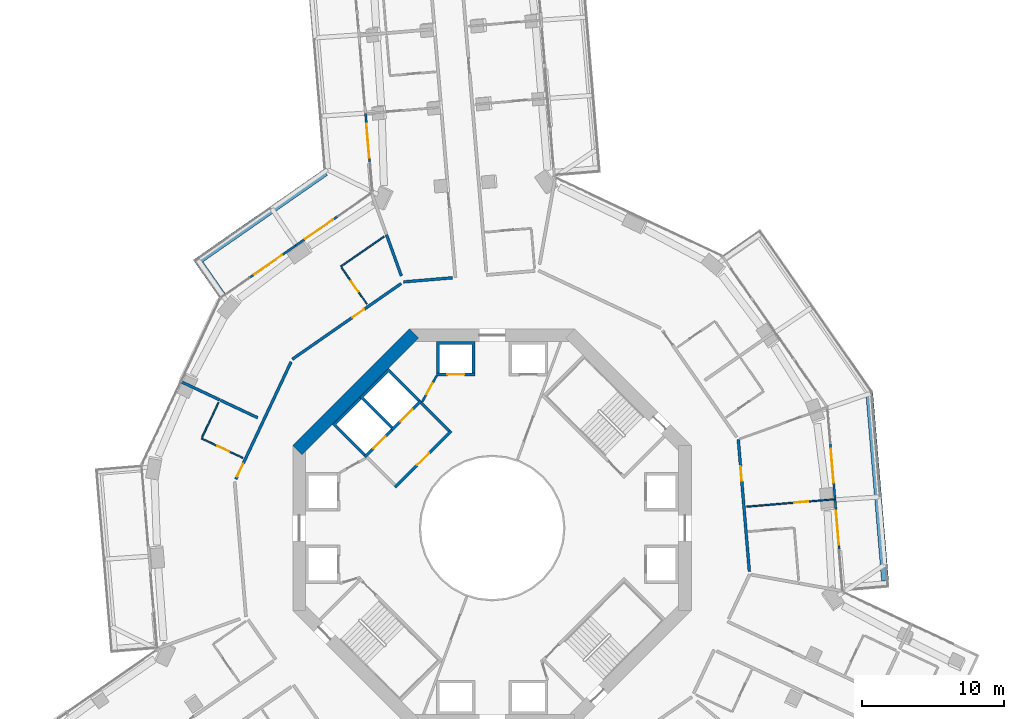
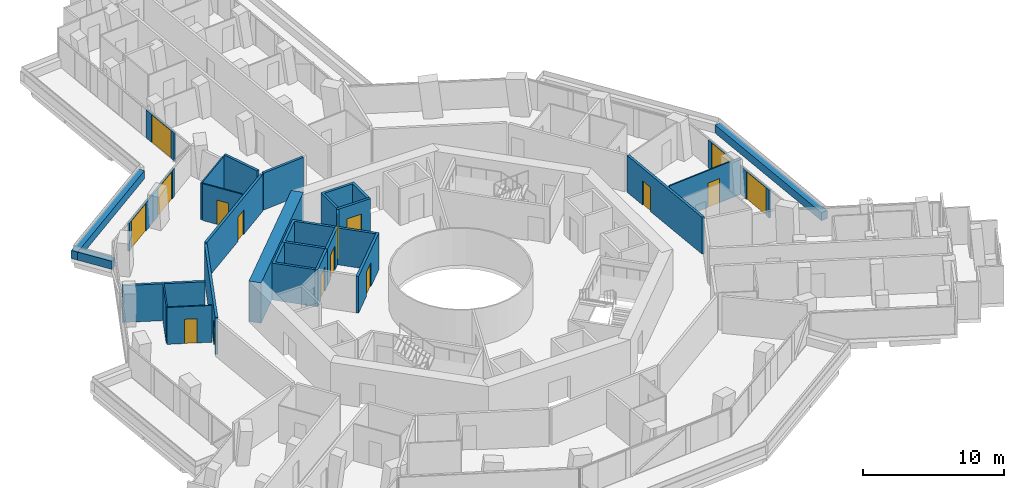
# One storey, part 21 of 26: 30 walls, 16 doors, 16 openings.
"""IFC4 building model written with IfcOpenShell, lengths in metres."""

import ifcopenshell
import ifcopenshell.guid

model = None  # the IFC model being written
_history = None  # IfcOwnerHistory: only IFC2X3 demands one
_inside = {}  # id of a spatial element -> (the spatial element, [elements in it])
_under = {}  # id of a project, library or spatial element -> (it, [spatial elements below it])
_declared = {}  # id of a project -> (the project, [libraries it declares])
_typed = {}  # id of a type object -> (the type object, [elements of that type])
_made_of = {}  # id of a material, layer set ... -> (it, [elements and type objects made of it])


def new_model(schema):
    """Start an empty IFC model of exactly this schema.

    Asked for "IFC4X3", IfcOpenShell would pick the latest addendum, in which some entities
    have other attributes; the version numbers below select the first issue.
    IFC2X3 requires an IfcOwnerHistory on every rooted entity: one is made here for all.
    """
    global model, _history
    if schema == "IFC4X3":
        model = ifcopenshell.file(schema_version=(4, 3, 0, 0))
    else:
        model = ifcopenshell.file(schema=schema)
    _inside.clear()
    _under.clear()
    _declared.clear()
    _typed.clear()
    _made_of.clear()
    _history = None
    if model.schema == "IFC2X3":
        org = make("IfcOrganization", Name="unknown")
        user = make(
            "IfcPersonAndOrganization",
            ThePerson=make("IfcPerson", FamilyName="unknown"),
            TheOrganization=org,
        )
        app = make(
            "IfcApplication",
            ApplicationDeveloper=org,
            Version="unknown",
            ApplicationFullName="unknown",
            ApplicationIdentifier="unknown",
        )
        _history = make(
            "IfcOwnerHistory",
            OwningUser=user,
            OwningApplication=app,
            ChangeAction="ADDED",
            CreationDate=0,
        )
    return model


def make(cls, **values):
    """One entity of the class cls with the attributes given. An attribute that is None is left unset."""
    return model.create_entity(
        cls, **{name: value for name, value in values.items() if value is not None}
    )


def rooted(cls, **values):
    """An entity with a GlobalId (a new one), such as an element, a storey or a relation."""
    return make(cls, GlobalId=ifcopenshell.guid.new(), OwnerHistory=_history, **values)


def si_unit(unit_type, name, prefix=None):
    """IfcSIUnit, for example si_unit("LENGTHUNIT", "METRE", prefix="MILLI")."""
    return make("IfcSIUnit", UnitType=unit_type, Prefix=prefix, Name=name)


def assignment(units):
    """IfcUnitAssignment: the units of a project."""
    return None if units is None else make("IfcUnitAssignment", Units=units)


def point(xyz):
    """IfcCartesianPoint."""
    return None if xyz is None else make("IfcCartesianPoint", Coordinates=xyz)


def direction(xyz):
    """IfcDirection."""
    return None if xyz is None else make("IfcDirection", DirectionRatios=xyz)


def frame(location, z_axis=None, x_axis=None):
    """IfcAxis2Placement3D, a coordinate frame: its origin and axes. An axis left out is left unset."""
    return make(
        "IfcAxis2Placement3D",
        Location=point(location),
        Axis=direction(z_axis),
        RefDirection=direction(x_axis),
    )


def frame_2d(location, x_axis=None):
    """IfcAxis2Placement2D, a coordinate frame in the plane: its origin and x axis."""
    return make(
        "IfcAxis2Placement2D", Location=point(location), RefDirection=direction(x_axis)
    )


def origin():
    """The frame at (0, 0, 0) with its axes left unset."""
    return frame((0.0, 0.0, 0.0))


def place(relative_to, where):
    """IfcLocalPlacement: puts the frame where relative to a parent placement (None: the world)."""
    return make(
        "IfcLocalPlacement", PlacementRelTo=relative_to, RelativePlacement=where
    )


def context(
    kind, dimensions, precision=None, world=None, true_north=None, identifier=None
):
    """IfcGeometricRepresentationContext, for example the 3D "Model" context."""
    return make(
        "IfcGeometricRepresentationContext",
        ContextIdentifier=identifier,
        ContextType=kind,
        CoordinateSpaceDimension=dimensions,
        Precision=precision,
        WorldCoordinateSystem=world,
        TrueNorth=true_north,
    )


def subcontext(parent, identifier, kind, view, scale=None):
    """IfcGeometricRepresentationSubContext, for example "Body" below "Model"."""
    return make(
        "IfcGeometricRepresentationSubContext",
        ContextIdentifier=identifier,
        ContextType=kind,
        ParentContext=parent,
        TargetScale=scale,
        TargetView=view,
    )


def project(units=None, contexts=None):
    """IfcProject with its units and contexts."""
    return rooted(
        "IfcProject",
        Name="project",
        RepresentationContexts=contexts,
        UnitsInContext=assignment(units),
    )


def spatial(cls, under=None, at=None, **own):
    """A site, building, storey or space (cls), placed at a placement, below another one or the project."""
    s = rooted(cls, ObjectPlacement=at, **own)
    if under is not None:
        _under.setdefault(under.id(), (under, []))[1].append(s)
    return s


def polyline(points):
    """IfcPolyline through the points."""
    return make("IfcPolyline", Points=[point(p) for p in points])


def profile(cls, at=None, kind="AREA", **sizes):
    """A parametric profile (cls). Its sizes go by their IFC names, for example OverallWidth=200.0."""
    return make(cls, ProfileType=kind, Position=at, **sizes)


def rectangle(**sizes):
    """IfcRectangleProfileDef."""
    return profile("IfcRectangleProfileDef", **sizes)


def outline(outer, holes=None, kind="AREA"):
    """IfcArbitraryClosedProfileDef: a profile drawn as a closed curve; with holes, ...WithVoids."""
    if holes is None:
        return make("IfcArbitraryClosedProfileDef", ProfileType=kind, OuterCurve=outer)
    return make(
        "IfcArbitraryProfileDefWithVoids",
        ProfileType=kind,
        OuterCurve=outer,
        InnerCurves=holes,
    )


def extrude(swept, where, along, depth):
    """IfcExtrudedAreaSolid: the profile swept, set in the frame where, extruded along a direction by depth."""
    return make(
        "IfcExtrudedAreaSolid",
        SweptArea=swept,
        Position=where,
        ExtrudedDirection=direction(along),
        Depth=depth,
    )


def shape(context_of_items, identifier, shape_type, items):
    """IfcShapeRepresentation: the items that make up one representation, for example the "Body"."""
    return make(
        "IfcShapeRepresentation",
        ContextOfItems=context_of_items,
        RepresentationIdentifier=identifier,
        RepresentationType=shape_type,
        Items=items,
    )


def material(Name=None, Category=None):
    """IfcMaterial."""
    return make("IfcMaterial", Name=Name, Category=Category)


def layer(
    of_material, thickness, ventilated=None, Name=None, Category=None, Priority=None
):
    """IfcMaterialLayer: one layer of a wall or slab, of a material (None: an air gap)."""
    return make(
        "IfcMaterialLayer",
        Material=of_material,
        LayerThickness=thickness,
        IsVentilated=ventilated,
        Name=Name,
        Category=Category,
        Priority=Priority,
    )


def layer_set(layers, Name=None):
    """IfcMaterialLayerSet."""
    return make("IfcMaterialLayerSet", MaterialLayers=layers, LayerSetName=Name)


def made_of(thing, what):
    """Note that an element or type object is made of a material, layer set ...; save() writes the relation."""
    if what is not None:
        _made_of.setdefault(what.id(), (what, []))[1].append(thing)
    return thing


def type_object(cls, material=None, **own):
    """A type object (cls), such as IfcWallType, which elements share."""
    return made_of(rooted(cls, **own), material)


def element(
    cls,
    number,
    at=None,
    inside=None,
    cuts=None,
    type_object=None,
    material=None,
    context=None,
    identifier="Body",
    shape_type=None,
    held_by="IfcProductDefinitionShape",
    body=None,
    shapes=None,
    **own,
):
    """One element of the class cls, such as IfcWall. Its Tag is "e" and its number.

    at: its placement. inside: the storey or other place that contains it. cuts: it is an
    opening in that element (IfcRelVoidsElement). A single representation is given by context,
    identifier, shape_type and body (its items); several are given by shapes. held_by: the class
    of the entity that holds the representations. save() writes the other relations.
    """
    e = rooted(cls, Tag="e%d" % number, ObjectPlacement=at, **own)
    if body is not None:
        shapes = [shape(context, identifier, shape_type, body)]
    if shapes is not None:
        e.Representation = make(held_by, Representations=shapes)
    if inside is not None:
        _inside.setdefault(inside.id(), (inside, []))[1].append(e)
    if cuts is not None:
        rooted(
            "IfcRelVoidsElement", RelatingBuildingElement=cuts, RelatedOpeningElement=e
        )
    if type_object is not None:
        _typed.setdefault(type_object.id(), (type_object, []))[1].append(e)
    return made_of(e, material)


def fill(opening, filler):
    """IfcRelFillsElement: the door or window that sits in an opening."""
    return rooted(
        "IfcRelFillsElement",
        RelatingOpeningElement=opening,
        RelatedBuildingElement=filler,
    )


def aggregate(whole, parts):
    """IfcRelAggregates: a whole, such as a stair, and the parts it consists of."""
    return rooted("IfcRelAggregates", RelatingObject=whole, RelatedObjects=parts)


def save(model, path):
    """Write the relations noted so far, then the file.

    IfcRelAggregates (storeys below a building ...), IfcRelContainedInSpatialStructure (elements
    in a storey), IfcRelDefinesByType, IfcRelAssociatesMaterial and IfcRelDeclares: one each for
    every whole, place, type object, material and project.
    """
    for whole, parts in _under.values():
        aggregate(whole, parts)
    for where, things in _inside.values():
        rooted(
            "IfcRelContainedInSpatialStructure",
            RelatedElements=things,
            RelatingStructure=where,
        )
    for kind, things in _typed.values():
        rooted("IfcRelDefinesByType", RelatedObjects=things, RelatingType=kind)
    for what, things in _made_of.values():
        rooted("IfcRelAssociatesMaterial", RelatedObjects=things, RelatingMaterial=what)
    for by, libraries in _declared.values():
        rooted("IfcRelDeclares", RelatingContext=by, RelatedDefinitions=libraries)
    model.write(path)


model = new_model("IFC4")

# Units and contexts
model_context = context("Model", 3, precision=1e-05, world=origin(), true_north=direction((0.0, 1.0)))
body_context = subcontext(model_context, "Body", "Model", "MODEL_VIEW")
ifc_project = project(units=[si_unit("LENGTHUNIT", "METRE"), si_unit("AREAUNIT", "SQUARE_METRE"), si_unit("VOLUMEUNIT", "CUBIC_METRE"), si_unit("PLANEANGLEUNIT", "RADIAN"), si_unit("MASSUNIT", "GRAM", prefix="KILO")], contexts=[model_context])

# Site, building, storey
site_placement = place(None, origin())
site = spatial("IfcSite", under=ifc_project, at=site_placement, CompositionType="ELEMENT")
building_placement = place(site_placement, origin())
building = spatial("IfcBuilding", under=site, at=building_placement, Name="Verdalira Terraces Hotel", CompositionType="ELEMENT")
storey_placement = place(building_placement, frame((0.0, 0.0, 53.0)))
storey = spatial("IfcBuildingStorey", under=building, at=storey_placement, Name="L11", CompositionType="ELEMENT", Elevation=53.0)

# Walls
ifc_material_1 = material(Name="Concrete C40", Category="concrete")
ifc_layer_1 = layer(ifc_material_1, 0.5)
ifc_layer_set_1 = layer_set([ifc_layer_1], Name="Balcony planter trough with tree")
wall_type_1 = type_object("IfcWallType", Name="Balcony planter trough with tree", PredefinedType="SOLIDWALL", material=ifc_layer_set_1)
wall_1_placement = place(storey_placement, frame((-11.707764, 24.997314, 0.0), z_axis=(0.0, 0.0, 1.0), x_axis=(-0.821157664, -0.570701402, 0.0)))
element("IfcWall", 1, at=wall_1_placement, inside=storey, type_object=wall_type_1, Name="Balcony planter", PredefinedType="SOLIDWALL", context=body_context, shape_type="SweptSolid", body=[
    extrude(rectangle(XDim=11.152588, YDim=0.5, at=frame_2d((5.576172, 0.0))), origin(), (0.0, 0.0, 1.0), 0.699951),
])
wall_2_placement = place(storey_placement, frame((-20.517578, 18.569824, 0.0), z_axis=(0.0, 0.0, 1.0), x_axis=(0.570690734, -0.821165079, 0.0)))
element("IfcWall", 2, at=wall_2_placement, inside=storey, type_object=wall_type_1, Name="Balcony planter", PredefinedType="SOLIDWALL", context=body_context, shape_type="SweptSolid", body=[
    extrude(rectangle(XDim=2.698975, YDim=0.5, at=frame_2d((1.349609, 0.0))), origin(), (0.0, 0.0, 1.0), 0.699951),
])
wall_3_placement = place(storey_placement, frame((27.61499, -3.702148, 0.0), z_axis=(0.0, 0.0, 1.0), x_axis=(-0.083673454, 0.996493228, 0.0)))
element("IfcWall", 3, at=wall_3_placement, inside=storey, type_object=wall_type_1, Name="Balcony planter", PredefinedType="SOLIDWALL", context=body_context, shape_type="SweptSolid", body=[
    extrude(rectangle(XDim=13.223389, YDim=0.5, at=frame_2d((6.611816, 0.0))), origin(), (0.0, 0.0, 1.0), 0.699951),
])
ifc_material_2 = material(Name="Moisture-resistant gypsum board partition")
ifc_layer_2 = layer(ifc_material_2, 0.10009765625)
ifc_layer_set_2 = layer_set([ifc_layer_2], Name="Bathroom partition 100 mm")
wall_type_2 = type_object("IfcWallType", Name="Bathroom partition 100 mm", PredefinedType="PARTITIONING", material=ifc_layer_set_2)
wall_4_placement = place(storey_placement, frame((-20.379395, 6.384766, 0.0), z_axis=(0.0, 0.0, 1.0), x_axis=(0.425783973, 0.90482485, 0.0)))
element("IfcWall", 4, at=wall_4_placement, inside=storey, type_object=wall_type_2, Name="Bathroom partition", PredefinedType="PARTITIONING", context=body_context, shape_type="SweptSolid", body=[
    extrude(rectangle(XDim=2.700195, YDim=0.100098, at=frame_2d((1.350098, 0.0))), origin(), (0.0, 0.0, 1.0), 3.189941),
])

# Wall, opening, door
wall_5_placement = place(storey_placement, frame((-20.422119, 6.294189, 0.0), z_axis=(0.0, 0.0, 1.0), x_axis=(0.90485328, -0.42572355, 0.0)))
wall_5 = element("IfcWall", 5, at=wall_5_placement, inside=storey, type_object=wall_type_2, Name="Bathroom partition", PredefinedType="PARTITIONING", context=body_context, shape_type="SweptSolid", body=[
    extrude(rectangle(XDim=3.199951, YDim=0.100098, at=frame_2d((1.600098, 0.0))), origin(), (0.0, 0.0, 1.0), 3.189941),
])
opening_1_placement = place(wall_5_placement, frame((1.25, 0.0, 0.0)))
opening_1 = element("IfcOpeningElement", 6, at=opening_1_placement, cuts=wall_5, Name="Opening L11-115", PredefinedType="OPENING", context=body_context, shape_type="SweptSolid", body=[
    extrude(rectangle(XDim=0.899902, YDim=2.100098, at=frame_2d((0.449951, 1.050049))), frame((0.0, 0.060059, 0.0), z_axis=(0.0, -1.0, 0.0), x_axis=(1.0, 0.0, 0.0)), (0.0, 0.0, 1.0), 0.120117),
])
ifc_material_3 = material(Name="Timber door", Category="wood")
door_type_1 = type_object("IfcDoorType", Name="Bathroom door 900 x 2100", OperationType="NOTDEFINED", PredefinedType="DOOR", material=ifc_material_3)
door_1_placement = place(opening_1_placement, origin())
door_1 = element("IfcDoor", 7, at=door_1_placement, inside=storey, type_object=door_type_1, Name="Bathroom door 1105", OperationType="SINGLE_SWING_LEFT", OverallHeight=2.10009765625, OverallWidth=0.89990234375, PredefinedType="DOOR", context=body_context, shape_type="SweptSolid", body=[
    extrude(rectangle(XDim=0.899902, YDim=2.100098, at=frame_2d((0.449951, 1.050049))), frame((0.0, 0.024902, 0.0), z_axis=(0.0, -1.0, 0.0), x_axis=(1.0, 0.0, 0.0)), (0.0, 0.0, 1.0), 0.050049),
])
fill(opening_1, door_1)

wall_6_placement = place(storey_placement, frame((-10.574463, 18.29541, 0.0), z_axis=(0.0, 0.0, 1.0), x_axis=(0.57075293, -0.82112185, 0.0)))
wall_6 = element("IfcWall", 8, at=wall_6_placement, inside=storey, type_object=wall_type_2, Name="Bathroom partition", PredefinedType="PARTITIONING", context=body_context, shape_type="SweptSolid", body=[
    extrude(rectangle(XDim=3.099854, YDim=0.100098, at=frame_2d((1.549805, 0.0))), origin(), (0.0, 0.0, 1.0), 3.189941),
])
opening_2_placement = place(wall_6_placement, frame((1.149902, 0.0, 0.0)))
opening_2 = element("IfcOpeningElement", 9, at=opening_2_placement, cuts=wall_6, Name="Opening L11-113", PredefinedType="OPENING", context=body_context, shape_type="SweptSolid", body=[
    extrude(rectangle(XDim=0.899902, YDim=2.100098, at=frame_2d((0.449951, 1.050049))), frame((0.0, 0.060059, 0.0), z_axis=(0.0, -1.0, 0.0), x_axis=(1.0, 0.0, 0.0)), (0.0, 0.0, 1.0), 0.120117),
])
door_2_placement = place(opening_2_placement, origin())
door_2 = element("IfcDoor", 10, at=door_2_placement, inside=storey, type_object=door_type_1, Name="Bathroom door 1104", OperationType="SINGLE_SWING_LEFT", OverallHeight=2.10009765625, OverallWidth=0.89990234375, PredefinedType="DOOR", context=body_context, shape_type="SweptSolid", body=[
    extrude(rectangle(XDim=0.899902, YDim=2.100098, at=frame_2d((0.449951, 1.050049))), frame((0.0, 0.024902, 0.0), z_axis=(0.0, -1.0, 0.0), x_axis=(1.0, 0.0, 0.0)), (0.0, 0.0, 1.0), 0.050049),
])
fill(opening_2, door_2)

# Wall
wall_7_placement = place(storey_placement, frame((-10.631592, 18.377686, 0.0), z_axis=(0.0, 0.0, 1.0), x_axis=(0.821134863, 0.570734209, 0.0)))
element("IfcWall", 11, at=wall_7_placement, inside=storey, type_object=wall_type_2, Name="Bathroom partition", PredefinedType="PARTITIONING", context=body_context, shape_type="SweptSolid", body=[
    extrude(rectangle(XDim=3.704102, YDim=0.100098, at=frame_2d((1.852051, 0.0))), origin(), (0.0, 0.0, 1.0), 3.189941),
])

# Wall, opening, door
wall_8_placement = place(storey_placement, frame((24.023682, 2.017334, 0.0), z_axis=(0.0, 0.0, 1.0), x_axis=(-0.996492442, -0.083682817, 0.0)))
wall_8 = element("IfcWall", 12, at=wall_8_placement, inside=storey, type_object=wall_type_2, Name="Bathroom partition", PredefinedType="PARTITIONING", context=body_context, shape_type="SweptSolid", body=[
    extrude(rectangle(XDim=6.149902, YDim=0.100098, at=frame_2d((3.074951, 0.0))), origin(), (0.0, 0.0, 1.0), 3.189941),
])
opening_3_placement = place(wall_8_placement, frame((1.800049, 0.0, 0.0)))
opening_3 = element("IfcOpeningElement", 13, at=opening_3_placement, cuts=wall_8, Name="Opening L11-133", PredefinedType="OPENING", context=body_context, shape_type="SweptSolid", body=[
    extrude(rectangle(XDim=1.0, YDim=2.100098, at=frame_2d((0.5, 1.050049))), frame((0.0, 0.060059, 0.0), z_axis=(0.0, -1.0, 0.0), x_axis=(1.0, 0.0, 0.0)), (0.0, 0.0, 1.0), 0.120117),
])
ifc_material_4 = material(Name="Timber door", Category="wood")
door_type_2 = type_object("IfcDoorType", Name="Suite internal door 1000 x 2100", OperationType="NOTDEFINED", PredefinedType="DOOR", material=ifc_material_4)
door_3_placement = place(opening_3_placement, origin())
door_3 = element("IfcDoor", 14, at=door_3_placement, inside=storey, type_object=door_type_2, Name="Suite internal door 1114", OperationType="SINGLE_SWING_LEFT", OverallHeight=2.10009765625, OverallWidth=1.0, PredefinedType="DOOR", context=body_context, shape_type="SweptSolid", body=[
    extrude(rectangle(XDim=1.0, YDim=2.100098, at=frame_2d((0.5, 1.050049))), frame((0.0, 0.024902, 0.0), z_axis=(0.0, -1.0, 0.0), x_axis=(1.0, 0.0, 0.0)), (0.0, 0.0, 1.0), 0.050049),
])
fill(opening_3, door_3)

# Wall
ifc_material_5 = material(Name="Concrete C50", Category="concrete")
ifc_layer_3 = layer(ifc_material_5, 0.199951171875)
ifc_layer_set_3 = layer_set([ifc_layer_3], Name="Core RC wall 200 C50")
wall_type_3 = type_object("IfcWallType", Name="Core RC wall 200 C50", PredefinedType="SOLIDWALL", material=ifc_layer_set_3)
wall_9_placement = place(storey_placement, origin())
element("IfcWall", 15, at=wall_9_placement, inside=storey, type_object=wall_type_3, Name="L11 shaft wall N2", PredefinedType="SOLIDWALL", context=body_context, shape_type="SweptSolid", body=[
    extrude(outline(polyline([(-3.899902, 10.899902), (-3.899902, 13.100098), (-1.199951, 13.100098), (-1.199951, 10.899902), (-1.399902, 10.899902), (-1.399902, 12.899902), (-3.699951, 12.899902), (-3.699951, 10.899902), (-3.899902, 10.899902)])), origin(), (0.0, 0.0, 1.0), 3.189941),
])

# Wall, opening, door
wall_10_placement = place(storey_placement, frame((-1.199951, 10.800049, 0.0), z_axis=(0.0, 0.0, 1.0), x_axis=(-1.0, 0.0, 0.0)))
wall_10 = element("IfcWall", 16, at=wall_10_placement, inside=storey, type_object=wall_type_3, Name="L11 shaft front wall N2", PredefinedType="SOLIDWALL", context=body_context, shape_type="SweptSolid", body=[
    extrude(rectangle(XDim=2.699951, YDim=0.199951, at=frame_2d((1.350098, 0.0))), origin(), (0.0, 0.0, 1.0), 3.189941),
])
opening_4_placement = place(wall_10_placement, frame((0.75, 0.0, 0.0)))
opening_4 = element("IfcOpeningElement", 17, at=opening_4_placement, cuts=wall_10, Name="Opening LD-L11-804", PredefinedType="OPENING", context=body_context, shape_type="SweptSolid", body=[
    extrude(rectangle(XDim=1.199951, YDim=2.100098, at=frame_2d((0.600098, 1.050049))), frame((0.0, 0.109863, 0.0), z_axis=(0.0, -1.0, 0.0), x_axis=(1.0, 0.0, 0.0)), (0.0, 0.0, 1.0), 0.219971),
])
ifc_material_6 = material(Name="Stainless steel", Category="steel")
door_type_3 = type_object("IfcDoorType", Name="Landing door 1200 x 2100", OperationType="NOTDEFINED", PredefinedType="DOOR", material=ifc_material_6)
door_4_placement = place(opening_4_placement, origin())
door_4 = element("IfcDoor", 18, at=door_4_placement, inside=storey, type_object=door_type_3, Name="Lift landing door LR4 L11", OperationType="DOUBLE_DOOR_SLIDING", OverallHeight=2.10009765625, OverallWidth=1.199951171875, PredefinedType="DOOR", context=body_context, shape_type="SweptSolid", body=[
    extrude(rectangle(XDim=1.199951, YDim=2.100098, at=frame_2d((0.600098, 1.050049))), frame((0.0, 0.024902, 0.0), z_axis=(0.0, -1.0, 0.0), x_axis=(1.0, 0.0, 0.0)), (0.0, 0.0, 1.0), 0.050049),
])
fill(opening_4, door_4)

# Wall
wall_11_placement = place(storey_placement, origin())
element("IfcWall", 19, at=wall_11_placement, inside=storey, type_object=wall_type_3, Name="L11 shaft wall F1", PredefinedType="SOLIDWALL", context=body_context, shape_type="SweptSolid", body=[
    extrude(outline(polyline([(-9.33374, 9.192383), (-7.283203, 11.24292), (-5.055908, 9.015625), (-5.197266, 8.874268), (-7.283203, 10.960205), (-9.051025, 9.192383), (-6.965088, 7.106445), (-7.106445, 6.965088), (-9.33374, 9.192383)])), origin(), (0.0, 0.0, 1.0), 3.189941),
])

# Wall, opening, door
wall_12_placement = place(storey_placement, frame((-4.985107, 8.944824, 0.0), z_axis=(0.0, 0.0, 1.0), x_axis=(-0.707106781, -0.707106781, 0.0)))
wall_12 = element("IfcWall", 20, at=wall_12_placement, inside=storey, type_object=wall_type_3, Name="L11 shaft front wall F1", PredefinedType="SOLIDWALL", context=body_context, shape_type="SweptSolid", body=[
    extrude(rectangle(XDim=2.899902, YDim=0.199951, at=frame_2d((1.449951, 0.0))), origin(), (0.0, 0.0, 1.0), 3.189941),
])
opening_5_placement = place(wall_12_placement, frame((0.850098, 0.0, 0.0)))
opening_5 = element("IfcOpeningElement", 21, at=opening_5_placement, cuts=wall_12, Name="Opening LD-L11-807", PredefinedType="OPENING", context=body_context, shape_type="SweptSolid", body=[
    extrude(rectangle(XDim=1.199951, YDim=2.100098, at=frame_2d((0.600098, 1.050049))), frame((0.0, 0.109863, 0.0), z_axis=(0.0, -1.0, 0.0), x_axis=(1.0, 0.0, 0.0)), (0.0, 0.0, 1.0), 0.219971),
])
door_5_placement = place(opening_5_placement, origin())
door_5 = element("IfcDoor", 22, at=door_5_placement, inside=storey, type_object=door_type_3, Name="Lift landing door LF11 L11", OperationType="DOUBLE_DOOR_SLIDING", OverallHeight=2.10009765625, OverallWidth=1.199951171875, PredefinedType="DOOR", context=body_context, shape_type="SweptSolid", body=[
    extrude(rectangle(XDim=1.199951, YDim=2.100098, at=frame_2d((0.600098, 1.050049))), frame((0.0, 0.024902, 0.0), z_axis=(0.0, -1.0, 0.0), x_axis=(1.0, 0.0, 0.0)), (0.0, 0.0, 1.0), 0.050049),
])
fill(opening_5, door_5)

# Wall
wall_13_placement = place(storey_placement, origin())
element("IfcWall", 23, at=wall_13_placement, inside=storey, type_object=wall_type_3, Name="L11 shaft wall F2", PredefinedType="SOLIDWALL", context=body_context, shape_type="SweptSolid", body=[
    extrude(outline(polyline([(-11.24292, 7.283203), (-9.33374, 9.192383), (-9.192383, 9.051025), (-10.960205, 7.283203), (-8.874268, 5.197266), (-9.015625, 5.055908), (-11.24292, 7.283203)])), origin(), (0.0, 0.0, 1.0), 3.189941),
])

# Wall, opening, door
wall_14_placement = place(storey_placement, frame((-7.035645, 6.894287, 0.0), z_axis=(0.0, 0.0, 1.0), x_axis=(-0.707106781, -0.707106781, 0.0)))
wall_14 = element("IfcWall", 24, at=wall_14_placement, inside=storey, type_object=wall_type_3, Name="L11 shaft front wall F2", PredefinedType="SOLIDWALL", context=body_context, shape_type="SweptSolid", body=[
    extrude(rectangle(XDim=2.699951, YDim=0.199951, at=frame_2d((1.350098, 0.0))), origin(), (0.0, 0.0, 1.0), 3.189941),
])
opening_6_placement = place(wall_14_placement, frame((0.649902, 0.0, 0.0)))
opening_6 = element("IfcOpeningElement", 25, at=opening_6_placement, cuts=wall_14, Name="Opening LD-L11-808", PredefinedType="OPENING", context=body_context, shape_type="SweptSolid", body=[
    extrude(rectangle(XDim=1.199951, YDim=2.100098, at=frame_2d((0.600098, 1.050049))), frame((0.0, 0.109863, 0.0), z_axis=(0.0, -1.0, 0.0), x_axis=(1.0, 0.0, 0.0)), (0.0, 0.0, 1.0), 0.219971),
])
door_6_placement = place(opening_6_placement, origin())
door_6 = element("IfcDoor", 26, at=door_6_placement, inside=storey, type_object=door_type_3, Name="Lift landing door LF12 L11", OperationType="DOUBLE_DOOR_SLIDING", OverallHeight=2.10009765625, OverallWidth=1.199951171875, PredefinedType="DOOR", context=body_context, shape_type="SweptSolid", body=[
    extrude(rectangle(XDim=1.199951, YDim=2.100098, at=frame_2d((0.600098, 1.050049))), frame((0.0, 0.024902, 0.0), z_axis=(0.0, -1.0, 0.0), x_axis=(1.0, 0.0, 0.0)), (0.0, 0.0, 1.0), 0.050049),
])
fill(opening_6, door_6)

wall_15_placement = place(storey_placement, frame((-2.86377, 6.823486, 0.0), z_axis=(0.0, 0.0, 1.0), x_axis=(-0.707106781, -0.707106781, 0.0)))
wall_15 = element("IfcWall", 27, at=wall_15_placement, inside=storey, type_object=wall_type_3, Name="L11 fire lobby wall", PredefinedType="SOLIDWALL", context=body_context, shape_type="SweptSolid", body=[
    extrude(rectangle(XDim=5.599854, YDim=0.199951, at=frame_2d((2.799805, 0.0))), origin(), (0.0, 0.0, 1.0), 3.189941),
])
opening_7_placement = place(wall_15_placement, frame((2.199951, 0.0, 0.0)))
opening_7 = element("IfcOpeningElement", 28, at=opening_7_placement, cuts=wall_15, Name="Opening L11-819", PredefinedType="OPENING", context=body_context, shape_type="SweptSolid", body=[
    extrude(rectangle(XDim=1.199951, YDim=2.100098, at=frame_2d((0.600098, 1.050049))), frame((0.0, 0.109863, 0.0), z_axis=(0.0, -1.0, 0.0), x_axis=(1.0, 0.0, 0.0)), (0.0, 0.0, 1.0), 0.219971),
])
ifc_material_7 = material(Name="Steel fire door", Category="steel")
door_type_4 = type_object("IfcDoorType", Name="Lobby door 1200 x 2100", OperationType="NOTDEFINED", PredefinedType="DOOR", material=ifc_material_7)
door_7_placement = place(opening_7_placement, origin())
door_7 = element("IfcDoor", 29, at=door_7_placement, inside=storey, type_object=door_type_4, Name="Fire lobby door L11", OperationType="SINGLE_SWING_LEFT", OverallHeight=2.10009765625, OverallWidth=1.199951171875, PredefinedType="DOOR", context=body_context, shape_type="SweptSolid", body=[
    extrude(rectangle(XDim=1.199951, YDim=2.100098, at=frame_2d((0.600098, 1.050049))), frame((0.0, 0.024902, 0.0), z_axis=(0.0, -1.0, 0.0), x_axis=(1.0, 0.0, 0.0)), (0.0, 0.0, 1.0), 0.050049),
])
fill(opening_7, door_7)

# Wall
wall_16_placement = place(storey_placement, frame((-3.005127, 6.823486, 0.0), z_axis=(0.0, 0.0, 1.0), x_axis=(-0.707106781, 0.707106781, 0.0)))
element("IfcWall", 30, at=wall_16_placement, inside=storey, type_object=wall_type_3, Name="L11 fire lobby wall", PredefinedType="SOLIDWALL", context=body_context, shape_type="SweptSolid", body=[
    extrude(rectangle(XDim=2.800049, YDim=0.199951, at=frame_2d((1.399902, 0.0))), origin(), (0.0, 0.0, 1.0), 3.189941),
])

# Wall, opening, door
ifc_material_8 = material(Name="Gypsum board partition")
ifc_layer_4 = layer(ifc_material_8, 0.14990234375)
ifc_layer_set_4 = layer_set([ifc_layer_4], Name="Core partition 150 mm")
wall_type_4 = type_object("IfcWallType", Name="Core partition 150 mm", PredefinedType="PARTITIONING", material=ifc_layer_set_4)
wall_17_placement = place(storey_placement, frame((-3.899902, 10.699951, 0.0), z_axis=(0.0, 0.0, 1.0), x_axis=(-0.485692555, -0.874129705, 0.0)))
wall_17 = element("IfcWall", 31, at=wall_17_placement, inside=storey, type_object=wall_type_4, Name="Room partition L11", PredefinedType="PARTITIONING", context=body_context, shape_type="SweptSolid", body=[
    extrude(rectangle(XDim=2.088623, YDim=0.149902, at=frame_2d((1.044434, 0.0))), origin(), (0.0, 0.0, 1.0), 3.189941),
])
opening_8_placement = place(wall_17_placement, frame((0.594238, 0.0, 0.0)))
opening_8 = element("IfcOpeningElement", 32, at=opening_8_placement, cuts=wall_17, Name="Opening L11-820", PredefinedType="OPENING", context=body_context, shape_type="SweptSolid", body=[
    extrude(rectangle(XDim=0.899902, YDim=2.100098, at=frame_2d((0.449951, 1.050049))), frame((0.0, 0.084961, 0.0), z_axis=(0.0, -1.0, 0.0), x_axis=(1.0, 0.0, 0.0)), (0.0, 0.0, 1.0), 0.169922),
])
ifc_material_9 = material(Name="Steel fire door", Category="steel")
door_type_5 = type_object("IfcDoorType", Name="Core room door 900 x 2100", OperationType="NOTDEFINED", PredefinedType="DOOR", material=ifc_material_9)
door_8_placement = place(opening_8_placement, origin())
door_8 = element("IfcDoor", 33, at=door_8_placement, inside=storey, type_object=door_type_5, Name="Door L11 room2", OperationType="SINGLE_SWING_LEFT", OverallHeight=2.10009765625, OverallWidth=0.89990234375, PredefinedType="DOOR", context=body_context, shape_type="SweptSolid", body=[
    extrude(rectangle(XDim=0.899902, YDim=2.100098, at=frame_2d((0.449951, 1.050049))), frame((0.0, 0.024902, 0.0), z_axis=(0.0, -1.0, 0.0), x_axis=(1.0, 0.0, 0.0)), (0.0, 0.0, 1.0), 0.050049),
])
fill(opening_8, door_8)

# Walls
ifc_material_10 = material(Name="Concrete C70", Category="concrete")
ifc_layer_5 = layer(ifc_material_10, 0.89990234375)
ifc_layer_set_5 = layer_set([ifc_layer_5], Name="Core wall 900 C70")
wall_type_5 = type_object("IfcWallType", Name="Core wall 900 C70", PredefinedType="SHEAR", material=ifc_layer_set_5)
wall_18_placement = place(storey_placement, frame((-5.480713, 13.681885, 0.0), z_axis=(0.0, 0.0, 1.0), x_axis=(-0.707106781, -0.707106781, 0.0)))
element("IfcWall", 34, at=wall_18_placement, inside=storey, type_object=wall_type_5, Name="Core wall CW-L11-4", PredefinedType="SHEAR", context=body_context, shape_type="SweptSolid", body=[
    extrude(rectangle(XDim=11.598145, YDim=0.899902, at=frame_2d((5.799072, 0.0))), origin(), (0.0, 0.0, 1.0), 3.5),
])
ifc_material_11 = material(Name="Fire-rated gypsum board wall")
ifc_layer_6 = layer(ifc_material_11, 0.199951171875)
ifc_layer_set_6 = layer_set([ifc_layer_6], Name="Demising wall 200 mm")
wall_type_6 = type_object("IfcWallType", Name="Demising wall 200 mm", PredefinedType="SOLIDWALL", material=ifc_layer_set_6)
wall_19_placement = place(storey_placement, frame((-19.142822, 9.007812, 0.0), z_axis=(0.0, 0.0, 1.0), x_axis=(-0.904794334, 0.425848814, 0.0)))
element("IfcWall", 35, at=wall_19_placement, inside=storey, type_object=wall_type_6, Name="Demising wall", PredefinedType="SOLIDWALL", context=body_context, shape_type="SweptSolid", body=[
    extrude(rectangle(XDim=2.951904, YDim=0.199951, at=frame_2d((1.476074, 0.0))), origin(), (0.0, 0.0, 1.0), 3.189941),
])
wall_20_placement = place(storey_placement, frame((-16.4729, 7.751709, 0.0), z_axis=(0.0, 0.0, 1.0), x_axis=(-0.904862507, 0.425703938, 0.0)))
element("IfcWall", 36, at=wall_20_placement, inside=storey, type_object=wall_type_6, Name="Demising wall", PredefinedType="SOLIDWALL", context=body_context, shape_type="SweptSolid", body=[
    extrude(rectangle(XDim=2.904785, YDim=0.199951, at=frame_2d((1.452393, 0.0))), origin(), (0.0, 0.0, 1.0), 3.189941),
])
wall_21_placement = place(storey_placement, frame((-6.37915, 17.71875, 0.0), z_axis=(0.0, 0.0, 1.0), x_axis=(-0.338744775, 0.940878301, 0.0)))
element("IfcWall", 37, at=wall_21_placement, inside=storey, type_object=wall_type_6, Name="Demising wall", PredefinedType="SOLIDWALL", context=body_context, shape_type="SweptSolid", body=[
    extrude(rectangle(XDim=3.074707, YDim=0.199951, at=frame_2d((1.537354, 0.0))), origin(), (0.0, 0.0, 1.0), 3.189941),
])

# Wall, opening, door
ifc_material_12 = material(Name="Fire-rated gypsum board wall")
ifc_layer_7 = layer(ifc_material_12, 0.199951171875)
ifc_layer_set_7 = layer_set([ifc_layer_7], Name="Guest corridor wall 200 mm")
wall_type_7 = type_object("IfcWallType", Name="Guest corridor wall 200 mm", PredefinedType="SOLIDWALL", material=ifc_layer_set_7)
wall_22_placement = place(storey_placement, frame((-18.008789, 3.437012, 0.0), z_axis=(0.0, 0.0, 1.0), x_axis=(0.42576737, 0.904832662, 0.0)))
wall_22 = element("IfcWall", 38, at=wall_22_placement, inside=storey, type_object=wall_type_7, Name="Guest corridor wall", PredefinedType="SOLIDWALL", context=body_context, shape_type="SweptSolid", body=[
    extrude(rectangle(XDim=9.115479, YDim=0.199951, at=frame_2d((4.557617, 0.0))), origin(), (0.0, 0.0, 1.0), 3.189941),
])
opening_9_placement = place(wall_22_placement, frame((0.199951, 0.0, 0.0)))
opening_9 = element("IfcOpeningElement", 39, at=opening_9_placement, cuts=wall_22, Name="Opening L11-114", PredefinedType="OPENING", context=body_context, shape_type="SweptSolid", body=[
    extrude(rectangle(XDim=1.0, YDim=2.100098, at=frame_2d((0.5, 1.050049))), frame((0.0, 0.109863, 0.0), z_axis=(0.0, -1.0, 0.0), x_axis=(1.0, 0.0, 0.0)), (0.0, 0.0, 1.0), 0.219971),
])
ifc_material_13 = material(Name="Timber fire door", Category="wood")
door_type_6 = type_object("IfcDoorType", Name="Guest entry door 1000 x 2100", OperationType="NOTDEFINED", PredefinedType="DOOR", material=ifc_material_13)
door_9_placement = place(opening_9_placement, origin())
door_9 = element("IfcDoor", 40, at=door_9_placement, inside=storey, type_object=door_type_6, Name="Guest entry door 1105", OperationType="SINGLE_SWING_LEFT", OverallHeight=2.10009765625, OverallWidth=1.0, PredefinedType="DOOR", context=body_context, shape_type="SweptSolid", body=[
    extrude(rectangle(XDim=1.0, YDim=2.100098, at=frame_2d((0.5, 1.050049))), frame((0.0, 0.024902, 0.0), z_axis=(0.0, -1.0, 0.0), x_axis=(1.0, 0.0, 0.0)), (0.0, 0.0, 1.0), 0.050049),
])
fill(opening_9, door_9)

wall_23_placement = place(storey_placement, frame((-14.041748, 11.866943, 0.0), z_axis=(0.0, 0.0, 1.0), x_axis=(0.821157773, 0.570701245, 0.0)))
wall_23 = element("IfcWall", 41, at=wall_23_placement, inside=storey, type_object=wall_type_7, Name="Guest corridor wall", PredefinedType="SOLIDWALL", context=body_context, shape_type="SweptSolid", body=[
    extrude(rectangle(XDim=9.315918, YDim=0.199951, at=frame_2d((4.657959, 0.0))), origin(), (0.0, 0.0, 1.0), 3.189941),
])
opening_10_placement = place(wall_23_placement, frame((5.149902, 0.0, 0.0)))
opening_10 = element("IfcOpeningElement", 42, at=opening_10_placement, cuts=wall_23, Name="Opening L11-112", PredefinedType="OPENING", context=body_context, shape_type="SweptSolid", body=[
    extrude(rectangle(XDim=1.0, YDim=2.100098, at=frame_2d((0.5, 1.050049))), frame((0.0, 0.109863, 0.0), z_axis=(0.0, -1.0, 0.0), x_axis=(1.0, 0.0, 0.0)), (0.0, 0.0, 1.0), 0.219971),
])
door_10_placement = place(opening_10_placement, origin())
door_10 = element("IfcDoor", 43, at=door_10_placement, inside=storey, type_object=door_type_6, Name="Guest entry door 1104", OperationType="SINGLE_SWING_LEFT", OverallHeight=2.10009765625, OverallWidth=1.0, PredefinedType="DOOR", context=body_context, shape_type="SweptSolid", body=[
    extrude(rectangle(XDim=1.0, YDim=2.100098, at=frame_2d((0.5, 1.050049))), frame((0.0, 0.024902, 0.0), z_axis=(0.0, -1.0, 0.0), x_axis=(1.0, 0.0, 0.0)), (0.0, 0.0, 1.0), 0.050049),
])
fill(opening_10, door_10)

# Wall
wall_24_placement = place(storey_placement, frame((-2.781494, 17.587402, 0.0), z_axis=(0.0, 0.0, 1.0), x_axis=(-0.996488559, -0.083729042, 0.0)))
element("IfcWall", 44, at=wall_24_placement, inside=storey, type_object=wall_type_7, Name="Guest corridor wall", PredefinedType="SOLIDWALL", context=body_context, shape_type="SweptSolid", body=[
    extrude(rectangle(XDim=3.458252, YDim=0.199951, at=frame_2d((1.729004, 0.0))), origin(), (0.0, 0.0, 1.0), 3.189941),
])

# Wall, opening, door
wall_25_placement = place(storey_placement, frame((17.297852, 6.227539, 0.0), z_axis=(0.0, 0.0, 1.0), x_axis=(0.083672212, -0.996493332, 0.0)))
wall_25 = element("IfcWall", 45, at=wall_25_placement, inside=storey, type_object=wall_type_7, Name="Guest corridor wall", PredefinedType="SOLIDWALL", context=body_context, shape_type="SweptSolid", body=[
    extrude(rectangle(XDim=9.31665, YDim=0.199951, at=frame_2d((4.658203, 0.0))), origin(), (0.0, 0.0, 1.0), 3.189941),
])
opening_11_placement = place(wall_25_placement, frame((1.899902, 0.0, 0.0)))
opening_11 = element("IfcOpeningElement", 46, at=opening_11_placement, cuts=wall_25, Name="Opening L11-132", PredefinedType="OPENING", context=body_context, shape_type="SweptSolid", body=[
    extrude(rectangle(XDim=1.0, YDim=2.100098, at=frame_2d((0.5, 1.050049))), frame((0.0, 0.109863, 0.0), z_axis=(0.0, -1.0, 0.0), x_axis=(1.0, 0.0, 0.0)), (0.0, 0.0, 1.0), 0.219971),
])
door_11_placement = place(opening_11_placement, origin())
door_11 = element("IfcDoor", 47, at=door_11_placement, inside=storey, type_object=door_type_6, Name="Guest entry door 1114", OperationType="SINGLE_SWING_LEFT", OverallHeight=2.10009765625, OverallWidth=1.0, PredefinedType="DOOR", context=body_context, shape_type="SweptSolid", body=[
    extrude(rectangle(XDim=1.0, YDim=2.100098, at=frame_2d((0.5, 1.050049))), frame((0.0, 0.024902, 0.0), z_axis=(0.0, -1.0, 0.0), x_axis=(1.0, 0.0, 0.0)), (0.0, 0.0, 1.0), 0.050049),
])
fill(opening_11, door_11)

ifc_material_14 = material(Name="Terracotta cladding", Category="masonry")
ifc_layer_8 = layer(ifc_material_14, 0.14990234375)
ifc_layer_set_8 = layer_set([ifc_layer_8], Name="Terracotta door pier 150")
wall_type_8 = type_object("IfcWallType", Name="Terracotta door pier 150", PredefinedType="SOLIDWALL", material=ifc_layer_set_8)
wall_26_placement = place(storey_placement, frame((-8.893555, 29.127197, 0.0), z_axis=(0.0, 0.0, 1.0), x_axis=(0.083677625, -0.996492878, 0.0)))
wall_26 = element("IfcWall", 48, at=wall_26_placement, inside=storey, type_object=wall_type_8, Name="Terracotta door pier", PredefinedType="SOLIDWALL", context=body_context, shape_type="SweptSolid", body=[
    extrude(rectangle(XDim=3.515869, YDim=0.149902, at=frame_2d((1.757812, 0.0))), origin(), (0.0, 0.0, 1.0), 2.425049),
])
opening_12_placement = place(wall_26_placement, frame((0.715576, 0.0, 0.0)))
opening_12 = element("IfcOpeningElement", 49, at=opening_12_placement, cuts=wall_26, Name="Opening L11-B06", PredefinedType="OPENING", context=body_context, shape_type="SweptSolid", body=[
    extrude(rectangle(XDim=2.399902, YDim=2.399902, at=frame_2d((1.199951, 1.199951))), frame((0.0, 0.084961, 0.0), z_axis=(0.0, -1.0, 0.0), x_axis=(1.0, 0.0, 0.0)), (0.0, 0.0, 1.0), 0.169922),
])
ifc_material_15 = material(Name="Clear glass", Category="glass")
door_type_7 = type_object("IfcDoorType", Name="Balcony sliding door 2400x2400", OperationType="NOTDEFINED", PredefinedType="DOOR", material=ifc_material_15)
door_12_placement = place(opening_12_placement, origin())
door_12 = element("IfcDoor", 50, at=door_12_placement, inside=storey, type_object=door_type_7, Name="Balcony sliding door", OperationType="SLIDING_TO_LEFT", OverallHeight=2.39990234375, OverallWidth=2.39990234375, PredefinedType="DOOR", context=body_context, shape_type="SweptSolid", body=[
    extrude(rectangle(XDim=2.399902, YDim=2.399902, at=frame_2d((1.199951, 1.199951))), frame((0.0, 0.024902, 0.0), z_axis=(0.0, -1.0, 0.0), x_axis=(1.0, 0.0, 0.0)), (0.0, 0.0, 1.0), 0.050049),
])
fill(opening_12, door_12)

wall_27_placement = place(storey_placement, frame((-10.845703, 21.912598, 0.0), z_axis=(0.0, 0.0, 1.0), x_axis=(-0.821158084, -0.570700799, 0.0)))
wall_27 = element("IfcWall", 51, at=wall_27_placement, inside=storey, type_object=wall_type_8, Name="Terracotta door pier", PredefinedType="SOLIDWALL", context=body_context, shape_type="SweptSolid", body=[
    extrude(rectangle(XDim=3.599854, YDim=0.149902, at=frame_2d((1.799805, 0.0))), origin(), (0.0, 0.0, 1.0), 2.425049),
])
opening_13_placement = place(wall_27_placement, frame((0.399902, 0.0, 0.0)))
opening_13 = element("IfcOpeningElement", 52, at=opening_13_placement, cuts=wall_27, Name="Opening L11-B07", PredefinedType="OPENING", context=body_context, shape_type="SweptSolid", body=[
    extrude(rectangle(XDim=2.399902, YDim=2.399902, at=frame_2d((1.199951, 1.199951))), frame((0.0, 0.084961, 0.0), z_axis=(0.0, -1.0, 0.0), x_axis=(1.0, 0.0, 0.0)), (0.0, 0.0, 1.0), 0.169922),
])
door_13_placement = place(opening_13_placement, origin())
door_13 = element("IfcDoor", 53, at=door_13_placement, inside=storey, type_object=door_type_7, Name="Balcony sliding door", OperationType="SLIDING_TO_RIGHT", OverallHeight=2.39990234375, OverallWidth=2.39990234375, PredefinedType="DOOR", context=body_context, shape_type="SweptSolid", body=[
    extrude(rectangle(XDim=2.399902, YDim=2.399902, at=frame_2d((1.199951, 1.199951))), frame((0.0, 0.024902, 0.0), z_axis=(0.0, -1.0, 0.0), x_axis=(1.0, 0.0, 0.0)), (0.0, 0.0, 1.0), 0.050049),
])
fill(opening_13, door_13)

wall_28_placement = place(storey_placement, frame((-13.801758, 19.858154, 0.0), z_axis=(0.0, 0.0, 1.0), x_axis=(-0.821158921, -0.570699594, 0.0)))
wall_28 = element("IfcWall", 54, at=wall_28_placement, inside=storey, type_object=wall_type_8, Name="Terracotta door pier", PredefinedType="SOLIDWALL", context=body_context, shape_type="SweptSolid", body=[
    extrude(rectangle(XDim=3.960449, YDim=0.149902, at=frame_2d((1.980225, 0.0))), origin(), (0.0, 0.0, 1.0), 2.425049),
])
opening_14_placement = place(wall_28_placement, frame((1.1604, 0.0, 0.0)))
opening_14 = element("IfcOpeningElement", 55, at=opening_14_placement, cuts=wall_28, Name="Opening L11-B08", PredefinedType="OPENING", context=body_context, shape_type="SweptSolid", body=[
    extrude(rectangle(XDim=2.399902, YDim=2.399902, at=frame_2d((1.199951, 1.199951))), frame((0.0, 0.084961, 0.0), z_axis=(0.0, -1.0, 0.0), x_axis=(1.0, 0.0, 0.0)), (0.0, 0.0, 1.0), 0.169922),
])
door_14_placement = place(opening_14_placement, origin())
door_14 = element("IfcDoor", 56, at=door_14_placement, inside=storey, type_object=door_type_7, Name="Balcony sliding door", OperationType="SLIDING_TO_LEFT", OverallHeight=2.39990234375, OverallWidth=2.39990234375, PredefinedType="DOOR", context=body_context, shape_type="SweptSolid", body=[
    extrude(rectangle(XDim=2.399902, YDim=2.399902, at=frame_2d((1.199951, 1.199951))), frame((0.0, 0.024902, 0.0), z_axis=(0.0, -1.0, 0.0), x_axis=(1.0, 0.0, 0.0)), (0.0, 0.0, 1.0), 0.050049),
])
fill(opening_14, door_14)

wall_29_placement = place(storey_placement, frame((24.399658, -1.563721, 0.0), z_axis=(0.0, 0.0, 1.0), x_axis=(-0.083617932, 0.996497888, 0.0)))
wall_29 = element("IfcWall", 57, at=wall_29_placement, inside=storey, type_object=wall_type_8, Name="Terracotta door pier", PredefinedType="SOLIDWALL", context=body_context, shape_type="SweptSolid", body=[
    extrude(rectangle(XDim=3.600098, YDim=0.149902, at=frame_2d((1.800049, 0.0))), origin(), (0.0, 0.0, 1.0), 2.425049),
])
opening_15_placement = place(wall_29_placement, frame((0.399902, 0.0, 0.0)))
opening_15 = element("IfcOpeningElement", 58, at=opening_15_placement, cuts=wall_29, Name="Opening L11-B15", PredefinedType="OPENING", context=body_context, shape_type="SweptSolid", body=[
    extrude(rectangle(XDim=2.399902, YDim=2.399902, at=frame_2d((1.199951, 1.199951))), frame((0.0, 0.084961, 0.0), z_axis=(0.0, -1.0, 0.0), x_axis=(1.0, 0.0, 0.0)), (0.0, 0.0, 1.0), 0.169922),
])
door_15_placement = place(opening_15_placement, origin())
door_15 = element("IfcDoor", 59, at=door_15_placement, inside=storey, type_object=door_type_7, Name="Balcony sliding door", OperationType="SLIDING_TO_RIGHT", OverallHeight=2.39990234375, OverallWidth=2.39990234375, PredefinedType="DOOR", context=body_context, shape_type="SweptSolid", body=[
    extrude(rectangle(XDim=2.399902, YDim=2.399902, at=frame_2d((1.199951, 1.199951))), frame((0.0, 0.024902, 0.0), z_axis=(0.0, -1.0, 0.0), x_axis=(1.0, 0.0, 0.0)), (0.0, 0.0, 1.0), 0.050049),
])
fill(opening_15, door_15)

wall_30_placement = place(storey_placement, frame((24.098633, 2.023682, 0.0), z_axis=(0.0, 0.0, 1.0), x_axis=(-0.083713777, 0.996489841, 0.0)))
wall_30 = element("IfcWall", 60, at=wall_30_placement, inside=storey, type_object=wall_type_8, Name="Terracotta door pier", PredefinedType="SOLIDWALL", context=body_context, shape_type="SweptSolid", body=[
    extrude(rectangle(XDim=3.960449, YDim=0.149902, at=frame_2d((1.980225, 0.0))), origin(), (0.0, 0.0, 1.0), 2.425049),
])
opening_16_placement = place(wall_30_placement, frame((1.1604, 0.0, 0.0)))
opening_16 = element("IfcOpeningElement", 61, at=opening_16_placement, cuts=wall_30, Name="Opening L11-B16", PredefinedType="OPENING", context=body_context, shape_type="SweptSolid", body=[
    extrude(rectangle(XDim=2.399902, YDim=2.399902, at=frame_2d((1.199951, 1.199951))), frame((0.0, 0.084961, 0.0), z_axis=(0.0, -1.0, 0.0), x_axis=(1.0, 0.0, 0.0)), (0.0, 0.0, 1.0), 0.169922),
])
door_16_placement = place(opening_16_placement, origin())
door_16 = element("IfcDoor", 62, at=door_16_placement, inside=storey, type_object=door_type_7, Name="Balcony sliding door", OperationType="SLIDING_TO_LEFT", OverallHeight=2.39990234375, OverallWidth=2.39990234375, PredefinedType="DOOR", context=body_context, shape_type="SweptSolid", body=[
    extrude(rectangle(XDim=2.399902, YDim=2.399902, at=frame_2d((1.199951, 1.199951))), frame((0.0, 0.024902, 0.0), z_axis=(0.0, -1.0, 0.0), x_axis=(1.0, 0.0, 0.0)), (0.0, 0.0, 1.0), 0.050049),
])
fill(opening_16, door_16)

save(model, "model.ifc")
